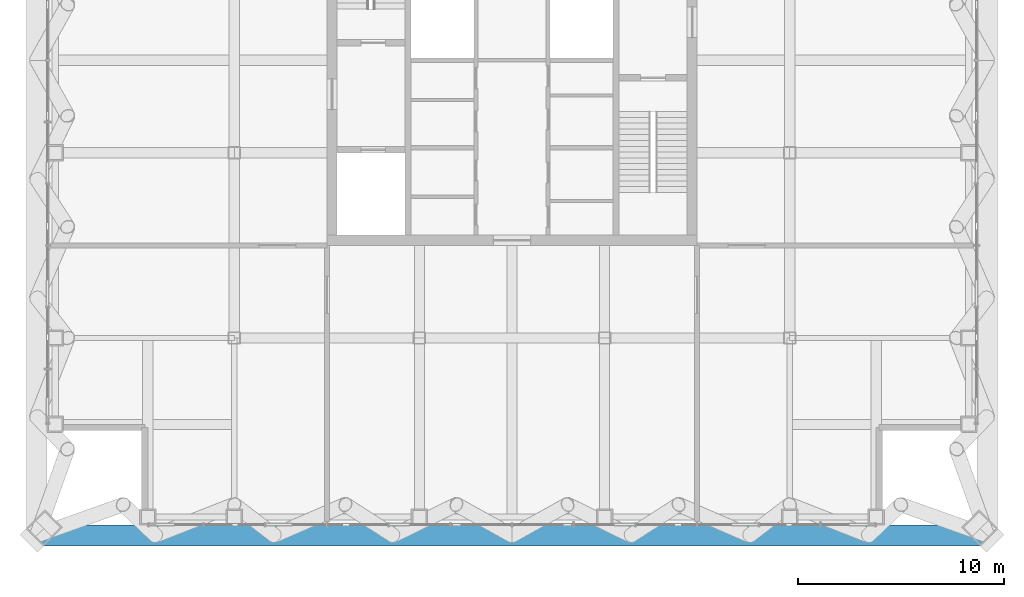
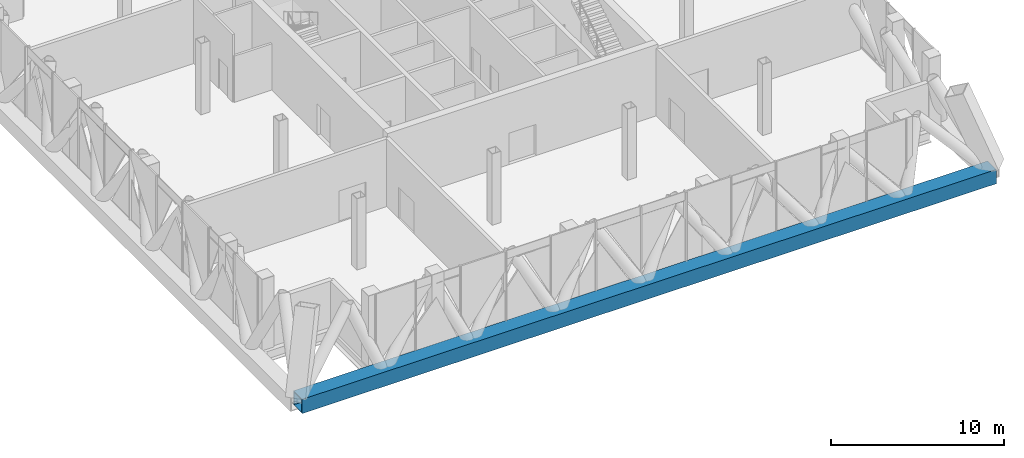
# One storey, part 3 of 27: 1 member.
"""IFC4 building model written with IfcOpenShell, lengths in metres."""

from ifc_helpers import new_model, si_unit, direction, frame, origin, origin_2d, place, context, subcontext, project, spatial, hollow_rectangle, extrude, material, material_profile, profile_set, type_object, element, save


model = new_model("IFC4")

# Units and contexts
model_context = context("Model", 3, precision=1e-05, world=origin(), true_north=direction((0.0, 1.0)))
body_context = subcontext(model_context, "Body", "Model", "MODEL_VIEW")
ifc_project = project(units=[si_unit("LENGTHUNIT", "METRE"), si_unit("AREAUNIT", "SQUARE_METRE"), si_unit("VOLUMEUNIT", "CUBIC_METRE"), si_unit("PLANEANGLEUNIT", "RADIAN"), si_unit("MASSUNIT", "GRAM", prefix="KILO")], contexts=[model_context])

# Site, building, storey
site_placement = place(None, origin())
site = spatial("IfcSite", under=ifc_project, at=site_placement, CompositionType="ELEMENT")
building_placement = place(site_placement, origin())
building = spatial("IfcBuilding", under=site, at=building_placement, Name="Malebo Sky Hospital", CompositionType="ELEMENT")
storey_placement = place(building_placement, frame((0.0, 0.0, 245.0)))
storey = spatial("IfcBuildingStorey", under=building, at=storey_placement, Name="L59", CompositionType="ELEMENT", Elevation=245.0)

# Member
ifc_material = material(Name="Steel S460", Category="steel")
ifc_material_profile = material_profile(ifc_material, hollow_rectangle(XDim=1.0, YDim=1.0, WallThickness=0.06005859375, at=origin_2d()), Name="BOX 1000x1000x60")
ifc_profile_set = profile_set([ifc_material_profile], Name="Steel S460")
member_type = type_object("IfcMemberType", Name="MEGA TIE BOX 1000x1000x60", PredefinedType="CHORD", material=ifc_profile_set)
member_placement = place(storey_placement, frame((36.89990234375, 38.89990234375, -0.39990234375), z_axis=(1.0, 0.0, 0.0), x_axis=(0.0, 1.0, 0.0)))
element("IfcMember", 1, at=member_placement, inside=storey, type_object=member_type, Name="Mega tie CS L59", PredefinedType="CHORD", context=body_context, shape_type="SweptSolid", body=[
    extrude(hollow_rectangle(XDim=1.0, YDim=1.0, WallThickness=0.06005859375, at=origin_2d()), origin(), (0.0, 0.0, 1.0), 46.2001953125),
])

save(model, "model.ifc")
